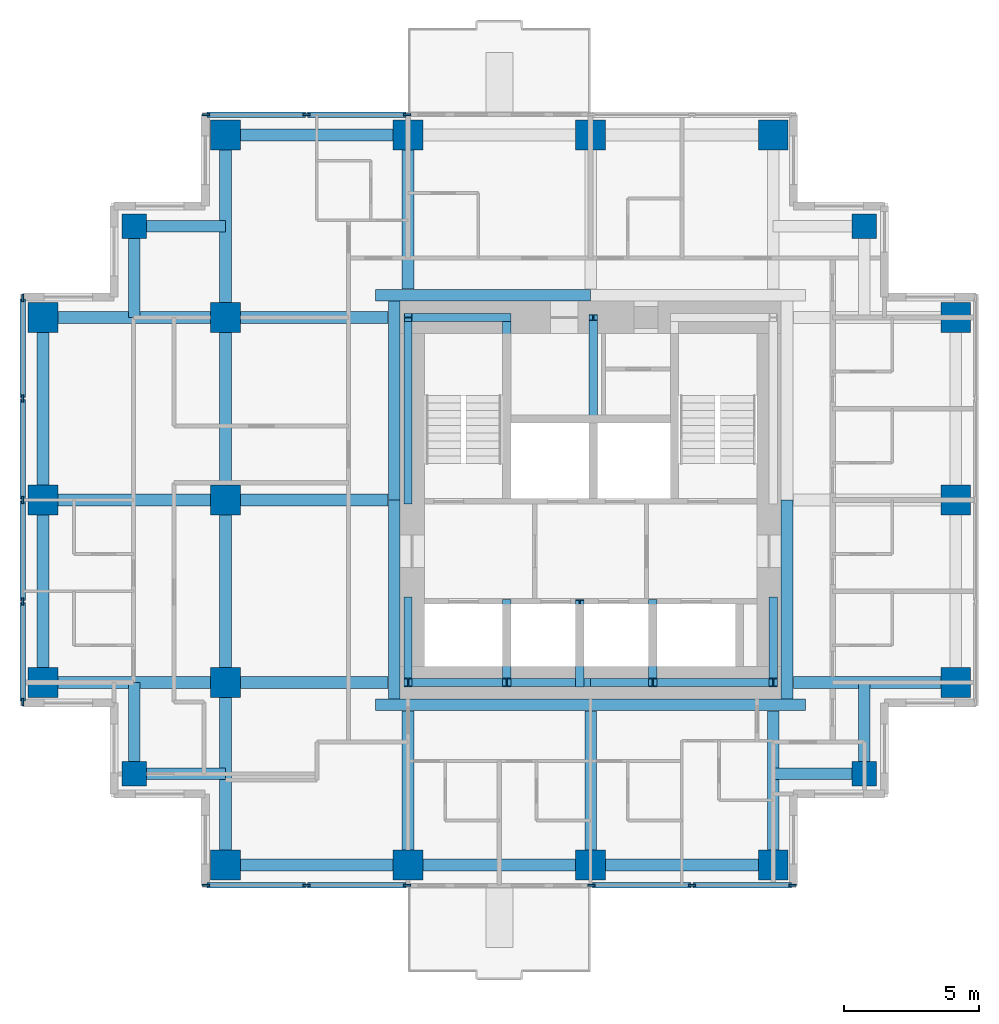
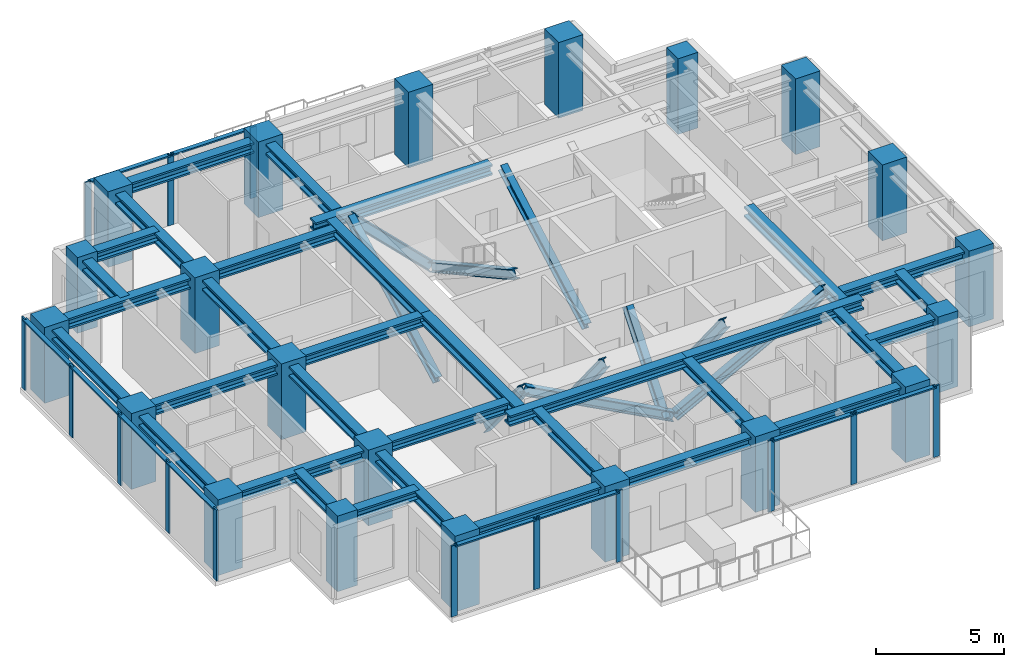
# One storey, part 1 of 8: 35 members, 33 beams, 21 columns, 4 elements without a shape of their own.
"""IFC4 building model written with IfcOpenShell, lengths in metres."""

import ifcopenshell
import ifcopenshell.guid

model = None  # the IFC model being written
_history = None  # IfcOwnerHistory: only IFC2X3 demands one
_inside = {}  # id of a spatial element -> (the spatial element, [elements in it])
_under = {}  # id of a project, library or spatial element -> (it, [spatial elements below it])
_declared = {}  # id of a project -> (the project, [libraries it declares])
_typed = {}  # id of a type object -> (the type object, [elements of that type])
_made_of = {}  # id of a material, layer set ... -> (it, [elements and type objects made of it])


def new_model(schema):
    """Start an empty IFC model of exactly this schema.

    Asked for "IFC4X3", IfcOpenShell would pick the latest addendum, in which some entities
    have other attributes; the version numbers below select the first issue.
    IFC2X3 requires an IfcOwnerHistory on every rooted entity: one is made here for all.
    """
    global model, _history
    if schema == "IFC4X3":
        model = ifcopenshell.file(schema_version=(4, 3, 0, 0))
    else:
        model = ifcopenshell.file(schema=schema)
    _inside.clear()
    _under.clear()
    _declared.clear()
    _typed.clear()
    _made_of.clear()
    _history = None
    if model.schema == "IFC2X3":
        org = make("IfcOrganization", Name="unknown")
        user = make(
            "IfcPersonAndOrganization",
            ThePerson=make("IfcPerson", FamilyName="unknown"),
            TheOrganization=org,
        )
        app = make(
            "IfcApplication",
            ApplicationDeveloper=org,
            Version="unknown",
            ApplicationFullName="unknown",
            ApplicationIdentifier="unknown",
        )
        _history = make(
            "IfcOwnerHistory",
            OwningUser=user,
            OwningApplication=app,
            ChangeAction="ADDED",
            CreationDate=0,
        )
    return model


def make(cls, **values):
    """One entity of the class cls with the attributes given. An attribute that is None is left unset."""
    return model.create_entity(
        cls, **{name: value for name, value in values.items() if value is not None}
    )


def rooted(cls, **values):
    """An entity with a GlobalId (a new one), such as an element, a storey or a relation."""
    return make(cls, GlobalId=ifcopenshell.guid.new(), OwnerHistory=_history, **values)


def si_unit(unit_type, name, prefix=None):
    """IfcSIUnit, for example si_unit("LENGTHUNIT", "METRE", prefix="MILLI")."""
    return make("IfcSIUnit", UnitType=unit_type, Prefix=prefix, Name=name)


def assignment(units):
    """IfcUnitAssignment: the units of a project."""
    return None if units is None else make("IfcUnitAssignment", Units=units)


def point(xyz):
    """IfcCartesianPoint."""
    return None if xyz is None else make("IfcCartesianPoint", Coordinates=xyz)


def direction(xyz):
    """IfcDirection."""
    return None if xyz is None else make("IfcDirection", DirectionRatios=xyz)


def frame(location, z_axis=None, x_axis=None):
    """IfcAxis2Placement3D, a coordinate frame: its origin and axes. An axis left out is left unset."""
    return make(
        "IfcAxis2Placement3D",
        Location=point(location),
        Axis=direction(z_axis),
        RefDirection=direction(x_axis),
    )


def frame_2d(location, x_axis=None):
    """IfcAxis2Placement2D, a coordinate frame in the plane: its origin and x axis."""
    return make(
        "IfcAxis2Placement2D", Location=point(location), RefDirection=direction(x_axis)
    )


def origin():
    """The frame at (0, 0, 0) with its axes left unset."""
    return frame((0.0, 0.0, 0.0))


def origin_2d():
    """The frame at (0, 0) in the plane with its x axis left unset."""
    return frame_2d((0.0, 0.0))


def place(relative_to, where):
    """IfcLocalPlacement: puts the frame where relative to a parent placement (None: the world)."""
    return make(
        "IfcLocalPlacement", PlacementRelTo=relative_to, RelativePlacement=where
    )


def context(
    kind, dimensions, precision=None, world=None, true_north=None, identifier=None
):
    """IfcGeometricRepresentationContext, for example the 3D "Model" context."""
    return make(
        "IfcGeometricRepresentationContext",
        ContextIdentifier=identifier,
        ContextType=kind,
        CoordinateSpaceDimension=dimensions,
        Precision=precision,
        WorldCoordinateSystem=world,
        TrueNorth=true_north,
    )


def subcontext(parent, identifier, kind, view, scale=None):
    """IfcGeometricRepresentationSubContext, for example "Body" below "Model"."""
    return make(
        "IfcGeometricRepresentationSubContext",
        ContextIdentifier=identifier,
        ContextType=kind,
        ParentContext=parent,
        TargetScale=scale,
        TargetView=view,
    )


def project(units=None, contexts=None):
    """IfcProject with its units and contexts."""
    return rooted(
        "IfcProject",
        Name="project",
        RepresentationContexts=contexts,
        UnitsInContext=assignment(units),
    )


def spatial(cls, under=None, at=None, **own):
    """A site, building, storey or space (cls), placed at a placement, below another one or the project."""
    s = rooted(cls, ObjectPlacement=at, **own)
    if under is not None:
        _under.setdefault(under.id(), (under, []))[1].append(s)
    return s


def profile(cls, at=None, kind="AREA", **sizes):
    """A parametric profile (cls). Its sizes go by their IFC names, for example OverallWidth=200.0."""
    return make(cls, ProfileType=kind, Position=at, **sizes)


def rectangle(**sizes):
    """IfcRectangleProfileDef."""
    return profile("IfcRectangleProfileDef", **sizes)


def i_section(**sizes):
    """IfcIShapeProfileDef."""
    return profile("IfcIShapeProfileDef", **sizes)


def extrude(swept, where, along, depth):
    """IfcExtrudedAreaSolid: the profile swept, set in the frame where, extruded along a direction by depth."""
    return make(
        "IfcExtrudedAreaSolid",
        SweptArea=swept,
        Position=where,
        ExtrudedDirection=direction(along),
        Depth=depth,
    )


def shape(context_of_items, identifier, shape_type, items):
    """IfcShapeRepresentation: the items that make up one representation, for example the "Body"."""
    return make(
        "IfcShapeRepresentation",
        ContextOfItems=context_of_items,
        RepresentationIdentifier=identifier,
        RepresentationType=shape_type,
        Items=items,
    )


def material(Name=None, Category=None):
    """IfcMaterial."""
    return make("IfcMaterial", Name=Name, Category=Category)


def material_profile(
    of_material, cross_section, Name=None, Category=None, Priority=None
):
    """IfcMaterialProfile: a cross section and its material."""
    return make(
        "IfcMaterialProfile",
        Name=Name,
        Material=of_material,
        Profile=cross_section,
        Priority=Priority,
        Category=Category,
    )


def profile_set(profiles, Name=None, composite=None):
    """IfcMaterialProfileSet."""
    return make(
        "IfcMaterialProfileSet",
        Name=Name,
        MaterialProfiles=profiles,
        CompositeProfile=composite,
    )


def made_of(thing, what):
    """Note that an element or type object is made of a material, layer set ...; save() writes the relation."""
    if what is not None:
        _made_of.setdefault(what.id(), (what, []))[1].append(thing)
    return thing


def type_object(cls, material=None, **own):
    """A type object (cls), such as IfcWallType, which elements share."""
    return made_of(rooted(cls, **own), material)


def element(
    cls,
    number,
    at=None,
    inside=None,
    cuts=None,
    type_object=None,
    material=None,
    context=None,
    identifier="Body",
    shape_type=None,
    held_by="IfcProductDefinitionShape",
    body=None,
    shapes=None,
    **own,
):
    """One element of the class cls, such as IfcWall. Its Tag is "e" and its number.

    at: its placement. inside: the storey or other place that contains it. cuts: it is an
    opening in that element (IfcRelVoidsElement). A single representation is given by context,
    identifier, shape_type and body (its items); several are given by shapes. held_by: the class
    of the entity that holds the representations. save() writes the other relations.
    """
    e = rooted(cls, Tag="e%d" % number, ObjectPlacement=at, **own)
    if body is not None:
        shapes = [shape(context, identifier, shape_type, body)]
    if shapes is not None:
        e.Representation = make(held_by, Representations=shapes)
    if inside is not None:
        _inside.setdefault(inside.id(), (inside, []))[1].append(e)
    if cuts is not None:
        rooted(
            "IfcRelVoidsElement", RelatingBuildingElement=cuts, RelatedOpeningElement=e
        )
    if type_object is not None:
        _typed.setdefault(type_object.id(), (type_object, []))[1].append(e)
    return made_of(e, material)


def aggregate(whole, parts):
    """IfcRelAggregates: a whole, such as a stair, and the parts it consists of."""
    return rooted("IfcRelAggregates", RelatingObject=whole, RelatedObjects=parts)


def save(model, path):
    """Write the relations noted so far, then the file.

    IfcRelAggregates (storeys below a building ...), IfcRelContainedInSpatialStructure (elements
    in a storey), IfcRelDefinesByType, IfcRelAssociatesMaterial and IfcRelDeclares: one each for
    every whole, place, type object, material and project.
    """
    for whole, parts in _under.values():
        aggregate(whole, parts)
    for where, things in _inside.values():
        rooted(
            "IfcRelContainedInSpatialStructure",
            RelatedElements=things,
            RelatingStructure=where,
        )
    for kind, things in _typed.values():
        rooted("IfcRelDefinesByType", RelatedObjects=things, RelatingType=kind)
    for what, things in _made_of.values():
        rooted("IfcRelAssociatesMaterial", RelatedObjects=things, RelatingMaterial=what)
    for by, libraries in _declared.values():
        rooted("IfcRelDeclares", RelatingContext=by, RelatedDefinitions=libraries)
    model.write(path)


model = new_model("IFC4")

# Units and contexts
model_context = context("Model", 3, precision=1e-05, world=origin(), true_north=direction((0.0, 1.0)))
body_context = subcontext(model_context, "Body", "Model", "MODEL_VIEW")
ifc_project = project(units=[si_unit("LENGTHUNIT", "METRE"), si_unit("AREAUNIT", "SQUARE_METRE"), si_unit("VOLUMEUNIT", "CUBIC_METRE"), si_unit("PLANEANGLEUNIT", "RADIAN"), si_unit("MASSUNIT", "GRAM", prefix="KILO")], contexts=[model_context])

# Site, building, storey
site_placement = place(None, origin())
site = spatial("IfcSite", under=ifc_project, at=site_placement, CompositionType="ELEMENT")
building_placement = place(site_placement, origin())
building = spatial("IfcBuilding", under=site, at=building_placement, Name="Nyansa Garden Tower", CompositionType="ELEMENT")
storey_placement = place(building_placement, frame((0.0, 0.0, 225.89990234375)))
storey = spatial("IfcBuildingStorey", under=building, at=storey_placement, Name="L61", CompositionType="ELEMENT", Elevation=225.89990234375)

# Columns
ifc_material_1 = material(Name="Concrete C70/85", Category="concrete")
ifc_material_profile_1 = material_profile(ifc_material_1, rectangle(XDim=1.10009765625, YDim=1.10009765625, at=origin_2d()), Name="RC 1100x1100")
ifc_profile_set_1 = profile_set([ifc_material_profile_1], Name="Concrete C70/85")
column_type_1 = type_object("IfcColumnType", Name="Column C110 RC 1100x1100", PredefinedType="COLUMN", material=ifc_profile_set_1)
for number, where, z_axis, x_axis, name in (
    (1, (0.0, 13.5, 0.0), (0.0, 0.0, 1.0), (1.0, 0.0, 0.0), "Column 2/F L61"),
    (2, (0.0, 20.25, 0.0), (0.0, 0.0, 1.0), (1.0, 0.0, 0.0), "Column 2/G L61"),
    (3, (0.0, 27.0, 0.0), (0.0, 0.0, 1.0), (1.0, 0.0, 0.0), "Column 2/H L61"),
    (4, (6.75, 6.75, 0.0), (0.0, 0.0, 1.0), (1.0, 0.0, 0.0), "Column 3/E L61"),
    (5, (6.75, 13.5, 0.0), (0.0, 0.0, 1.0), (1.0, 0.0, 0.0), "Column 3/F L61"),
    (6, (6.75, 20.25, 0.0), (0.0, 0.0, 1.0), (1.0, 0.0, 0.0), "Column 3/G L61"),
    (7, (6.75, 27.0, 0.0), (0.0, 0.0, 1.0), (1.0, 0.0, 0.0), "Column 3/H L61"),
    (8, (6.75, 33.75, 0.0), (0.0, 0.0, 1.0), (1.0, 0.0, 0.0), "Column 3/J L61"),
    (9, (13.5, 6.75, 0.0), (0.0, 0.0, 1.0), (1.0, 0.0, 0.0), "Column 4/E L61"),
    (10, (13.5, 33.75, 0.0), (0.0, 0.0, 1.0), (1.0, 0.0, 0.0), "Column 4/J L61"),
    (11, (20.25, 6.75, 0.0), (0.0, 0.0, 1.0), (1.0, 0.0, 0.0), "Column 5/E L61"),
    (12, (20.25, 33.75, 0.0), (0.0, 0.0, 1.0), (1.0, 0.0, 0.0), "Column 5/J L61"),
    (13, (27.0, 6.75, 0.0), (0.0, 0.0, 1.0), (1.0, 0.0, 0.0), "Column 6/E L61"),
    (14, (27.0, 33.75, 0.0), (0.0, 0.0, 1.0), (1.0, 0.0, 0.0), "Column 6/J L61"),
    (15, (33.75, 13.5, 0.0), (0.0, 0.0, 1.0), (1.0, 0.0, 0.0), "Column 7/F L61"),
    (16, (33.75, 20.25, 0.0), (0.0, 0.0, 1.0), (1.0, 0.0, 0.0), "Column 7/G L61"),
    (17, (33.75, 27.0, 0.0), (0.0, 0.0, 1.0), (1.0, 0.0, 0.0), "Column 7/H L61"),
):
    element("IfcColumn", number, at=place(storey_placement, frame(where, z_axis=z_axis, x_axis=x_axis)), inside=storey, type_object=column_type_1, Name=name, PredefinedType="COLUMN", context=body_context, shape_type="SweptSolid", body=[
        extrude(rectangle(XDim=1.10009765625, YDim=1.10009765625, at=origin_2d()), origin(), (0.0, 0.0, 1.0), 3.60009765625),
    ])
ifc_material_2 = material(Name="Concrete C70/85", Category="concrete")
ifc_material_profile_2 = material_profile(ifc_material_2, rectangle(XDim=0.89990234375, YDim=0.89990234375, at=origin_2d()), Name="RC 900x900")
ifc_profile_set_2 = profile_set([ifc_material_profile_2], Name="Concrete C70/85")
column_type_2 = type_object("IfcColumnType", Name="Column C90 RC 900x900", PredefinedType="COLUMN", material=ifc_profile_set_2)
for number, where, z_axis, x_axis, name in (
    (18, (3.375, 10.125, 0.0), (0.0, 0.0, 1.0), (1.0, 0.0, 0.0), "Column x3.375/y10.125 L61"),
    (19, (3.375, 30.375, 0.0), (0.0, 0.0, 1.0), (1.0, 0.0, 0.0), "Column x3.375/y30.375 L61"),
    (20, (30.375, 10.125, 0.0), (0.0, 0.0, 1.0), (1.0, 0.0, 0.0), "Column x30.375/y10.125 L61"),
    (21, (30.375, 30.375, 0.0), (0.0, 0.0, 1.0), (1.0, 0.0, 0.0), "Column x30.375/y30.375 L61"),
):
    element("IfcColumn", number, at=place(storey_placement, frame(where, z_axis=z_axis, x_axis=x_axis)), inside=storey, type_object=column_type_2, Name=name, PredefinedType="COLUMN", context=body_context, shape_type="SweptSolid", body=[
        extrude(rectangle(XDim=0.89990234375, YDim=0.89990234375, at=origin_2d()), origin(), (0.0, 0.0, 1.0), 3.60009765625),
    ])

# Curtain wall, members
ifc_material_3 = material(Name="Black anodised aluminium, dark tinted double glazing", Category="aluminium")
curtain_wall_type = type_object("IfcCurtainWallType", Name="Inner skin curtain wall ISW-D", PredefinedType="USERDEFINED", material=ifc_material_3)
curtain_wall_1_placement = place(storey_placement, origin())
curtain_wall_1 = element("IfcCurtainWall", 22, at=curtain_wall_1_placement, inside=storey, type_object=curtain_wall_type, Name="Inner skin curtain wall L61 N", ObjectType="UNITISED CURTAIN WALL", PredefinedType="USERDEFINED")
ifc_material_4 = material(Name="Black anodised aluminium", Category="aluminium")
ifc_material_profile_3 = material_profile(ifc_material_4, rectangle(XDim=0.070068359375, YDim=0.27490234375, at=origin_2d()), Name="Mullion 275x70")
ifc_profile_set_3 = profile_set([ifc_material_profile_3], Name="Black anodised aluminium")
member_type_1 = type_object("IfcMemberType", Name="Mullion ISW-D 275x70", PredefinedType="MULLION", material=ifc_profile_set_3)
member_1_placement = place(storey_placement, frame((13.465087890625, 34.5, 0.0), z_axis=(0.0, 0.0, 1.0), x_axis=(0.0, -1.0, 0.0)))
member_1 = element("IfcMember", 23, at=member_1_placement, type_object=member_type_1, Name="ISW-D mullion 1", PredefinedType="MULLION", context=body_context, shape_type="SweptSolid", body=[
    extrude(rectangle(XDim=0.070068359375, YDim=0.27490234375, at=origin_2d()), origin(), (0.0, 0.0, 1.0), 3.375),
])
member_2_placement = place(storey_placement, frame((9.75, 34.5, 0.0), z_axis=(0.0, 0.0, 1.0), x_axis=(0.0, -1.0, 0.0)))
member_2 = element("IfcMember", 24, at=member_2_placement, type_object=member_type_1, Name="ISW-D mullion 2", PredefinedType="MULLION", context=body_context, shape_type="SweptSolid", body=[
    extrude(rectangle(XDim=0.070068359375, YDim=0.27490234375, at=origin_2d()), origin(), (0.0, 0.0, 1.0), 3.375),
])
member_3_placement = place(storey_placement, frame((6.034912109375, 34.5, 0.0), z_axis=(0.0, 0.0, 1.0), x_axis=(0.0, -1.0, 0.0)))
member_3 = element("IfcMember", 25, at=member_3_placement, type_object=member_type_1, Name="ISW-D mullion 3", PredefinedType="MULLION", context=body_context, shape_type="SweptSolid", body=[
    extrude(rectangle(XDim=0.070068359375, YDim=0.27490234375, at=origin_2d()), origin(), (0.0, 0.0, 1.0), 3.375),
])

curtain_wall_2_placement = place(storey_placement, origin())
curtain_wall_2 = element("IfcCurtainWall", 26, at=curtain_wall_2_placement, inside=storey, type_object=curtain_wall_type, Name="Inner skin curtain wall L61 W", ObjectType="UNITISED CURTAIN WALL", PredefinedType="USERDEFINED")
member_4_placement = place(storey_placement, frame((-0.75, 27.715087890625, 0.0), z_axis=(0.0, 0.0, 1.0), x_axis=(1.0, 0.0, 0.0)))
member_4 = element("IfcMember", 27, at=member_4_placement, type_object=member_type_1, Name="ISW-D mullion 1", PredefinedType="MULLION", context=body_context, shape_type="SweptSolid", body=[
    extrude(rectangle(XDim=0.070068359375, YDim=0.27490234375, at=origin_2d()), origin(), (0.0, 0.0, 1.0), 3.375),
])
member_5_placement = place(storey_placement, frame((-0.75, 24.0, 0.0), z_axis=(0.0, 0.0, 1.0), x_axis=(1.0, 0.0, 0.0)))
member_5 = element("IfcMember", 28, at=member_5_placement, type_object=member_type_1, Name="ISW-D mullion 2", PredefinedType="MULLION", context=body_context, shape_type="SweptSolid", body=[
    extrude(rectangle(XDim=0.070068359375, YDim=0.27490234375, at=origin_2d()), origin(), (0.0, 0.0, 1.0), 3.375),
])
member_6_placement = place(storey_placement, frame((-0.75, 20.25, 0.0), z_axis=(0.0, 0.0, 1.0), x_axis=(1.0, 0.0, 0.0)))
member_6 = element("IfcMember", 29, at=member_6_placement, type_object=member_type_1, Name="ISW-D mullion 3", PredefinedType="MULLION", context=body_context, shape_type="SweptSolid", body=[
    extrude(rectangle(XDim=0.070068359375, YDim=0.27490234375, at=origin_2d()), origin(), (0.0, 0.0, 1.0), 3.375),
])
member_7_placement = place(storey_placement, frame((-0.75, 16.5, 0.0), z_axis=(0.0, 0.0, 1.0), x_axis=(1.0, 0.0, 0.0)))
member_7 = element("IfcMember", 30, at=member_7_placement, type_object=member_type_1, Name="ISW-D mullion 4", PredefinedType="MULLION", context=body_context, shape_type="SweptSolid", body=[
    extrude(rectangle(XDim=0.070068359375, YDim=0.27490234375, at=origin_2d()), origin(), (0.0, 0.0, 1.0), 3.375),
])
member_8_placement = place(storey_placement, frame((-0.75, 12.784912109375, 0.0), z_axis=(0.0, 0.0, 1.0), x_axis=(1.0, 0.0, 0.0)))
member_8 = element("IfcMember", 31, at=member_8_placement, type_object=member_type_1, Name="ISW-D mullion 5", PredefinedType="MULLION", context=body_context, shape_type="SweptSolid", body=[
    extrude(rectangle(XDim=0.070068359375, YDim=0.27490234375, at=origin_2d()), origin(), (0.0, 0.0, 1.0), 3.375),
])

curtain_wall_3_placement = place(storey_placement, origin())
curtain_wall_3 = element("IfcCurtainWall", 32, at=curtain_wall_3_placement, inside=storey, type_object=curtain_wall_type, Name="Inner skin curtain wall L61 S", ObjectType="UNITISED CURTAIN WALL", PredefinedType="USERDEFINED")
member_9_placement = place(storey_placement, frame((6.034912109375, 6.0, 0.0), z_axis=(0.0, 0.0, 1.0), x_axis=(0.0, 1.0, 0.0)))
member_9 = element("IfcMember", 33, at=member_9_placement, type_object=member_type_1, Name="ISW-D mullion 1", PredefinedType="MULLION", context=body_context, shape_type="SweptSolid", body=[
    extrude(rectangle(XDim=0.070068359375, YDim=0.27490234375, at=origin_2d()), origin(), (0.0, 0.0, 1.0), 3.375),
])
member_10_placement = place(storey_placement, frame((9.75, 6.0, 0.0), z_axis=(0.0, 0.0, 1.0), x_axis=(0.0, 1.0, 0.0)))
member_10 = element("IfcMember", 34, at=member_10_placement, type_object=member_type_1, Name="ISW-D mullion 2", PredefinedType="MULLION", context=body_context, shape_type="SweptSolid", body=[
    extrude(rectangle(XDim=0.070068359375, YDim=0.27490234375, at=origin_2d()), origin(), (0.0, 0.0, 1.0), 3.375),
])
member_11_placement = place(storey_placement, frame((13.465087890625, 6.0, 0.0), z_axis=(0.0, 0.0, 1.0), x_axis=(0.0, 1.0, 0.0)))
member_11 = element("IfcMember", 35, at=member_11_placement, type_object=member_type_1, Name="ISW-D mullion 3", PredefinedType="MULLION", context=body_context, shape_type="SweptSolid", body=[
    extrude(rectangle(XDim=0.070068359375, YDim=0.27490234375, at=origin_2d()), origin(), (0.0, 0.0, 1.0), 3.375),
])

curtain_wall_4_placement = place(storey_placement, origin())
curtain_wall_4 = element("IfcCurtainWall", 36, at=curtain_wall_4_placement, inside=storey, type_object=curtain_wall_type, Name="Inner skin curtain wall L61 S", ObjectType="UNITISED CURTAIN WALL", PredefinedType="USERDEFINED")
member_12_placement = place(storey_placement, frame((20.284912109375, 6.0, 0.0), z_axis=(0.0, 0.0, 1.0), x_axis=(0.0, 1.0, 0.0)))
member_12 = element("IfcMember", 37, at=member_12_placement, type_object=member_type_1, Name="ISW-D mullion 1", PredefinedType="MULLION", context=body_context, shape_type="SweptSolid", body=[
    extrude(rectangle(XDim=0.070068359375, YDim=0.27490234375, at=origin_2d()), origin(), (0.0, 0.0, 1.0), 3.375),
])
member_13_placement = place(storey_placement, frame((24.0, 6.0, 0.0), z_axis=(0.0, 0.0, 1.0), x_axis=(0.0, 1.0, 0.0)))
member_13 = element("IfcMember", 38, at=member_13_placement, type_object=member_type_1, Name="ISW-D mullion 2", PredefinedType="MULLION", context=body_context, shape_type="SweptSolid", body=[
    extrude(rectangle(XDim=0.070068359375, YDim=0.27490234375, at=origin_2d()), origin(), (0.0, 0.0, 1.0), 3.375),
])
member_14_placement = place(storey_placement, frame((27.715087890625, 6.0, 0.0), z_axis=(0.0, 0.0, 1.0), x_axis=(0.0, 1.0, 0.0)))
member_14 = element("IfcMember", 39, at=member_14_placement, type_object=member_type_1, Name="ISW-D mullion 3", PredefinedType="MULLION", context=body_context, shape_type="SweptSolid", body=[
    extrude(rectangle(XDim=0.070068359375, YDim=0.27490234375, at=origin_2d()), origin(), (0.0, 0.0, 1.0), 3.375),
])

# Members
ifc_material_5 = material(Name="Steel S355", Category="steel")
ifc_material_profile_4 = material_profile(ifc_material_5, i_section(OverallWidth=0.306884765625, OverallDepth=0.431884765625, WebThickness=0.02099609375, FlangeThickness=0.0400390625, FilletRadius=0.027099609375, at=origin_2d()), Name="HE 400 M")
ifc_profile_set_4 = profile_set([ifc_material_profile_4], Name="Steel S355")
member_type_2 = type_object("IfcMemberType", Name="Perimeter brace HE 400 M", PredefinedType="BRACE", material=ifc_profile_set_4)
for number, where, z_axis, x_axis, name in (
    (40, (20.25, 13.5, 0.0), (-0.882347640589, 0.0, 0.47059817376), (0.0, -1.0, 0.0), "Core brace CS1 L61"),
    (41, (20.25, 13.5, 0.0), (0.882347640589, 0.0, 0.47059817376), (0.0, 1.0, 0.0), "Core brace CS2 L61"),
):
    element("IfcMember", number, at=place(storey_placement, frame(where, z_axis=z_axis, x_axis=x_axis)), inside=storey, type_object=member_type_2, Name=name, PredefinedType="BRACE", context=body_context, shape_type="SweptSolid", body=[
        extrude(i_section(OverallWidth=0.306884765625, OverallDepth=0.431884765625, WebThickness=0.02099609375, FlangeThickness=0.0400390625, FilletRadius=0.027099609375, at=origin_2d()), origin(), (0.0, 0.0, 1.0), 7.650146484375),
    ])
member_15_placement = place(storey_placement, frame((17.14990234375, 27.0, 0.0), z_axis=(-0.711947531702, 0.0, 0.702232662373), x_axis=(0.0, -1.0, 0.0)))
element("IfcMember", 42, at=member_15_placement, inside=storey, type_object=member_type_2, Name="Core brace CN3 L61", PredefinedType="BRACE", context=body_context, shape_type="SweptSolid", body=[
    extrude(i_section(OverallWidth=0.306884765625, OverallDepth=0.431884765625, WebThickness=0.02099609375, FlangeThickness=0.0400390625, FilletRadius=0.027099609375, at=origin_2d()), origin(), (0.0, 0.0, 1.0), 5.126708984375),
])
member_16_placement = place(storey_placement, frame((13.5, 16.5, 0.0), z_axis=(0.0, -0.640174150918, 0.768229820104), x_axis=(1.0, 0.0, 0.0)))
element("IfcMember", 43, at=member_16_placement, inside=storey, type_object=member_type_2, Name="Core brace CW5 L61", PredefinedType="BRACE", context=body_context, shape_type="SweptSolid", body=[
    extrude(i_section(OverallWidth=0.306884765625, OverallDepth=0.431884765625, WebThickness=0.02099609375, FlangeThickness=0.0400390625, FilletRadius=0.027099609375, at=origin_2d()), origin(), (0.0, 0.0, 1.0), 4.686279296875),
])
member_17_placement = place(storey_placement, frame((13.5, 20.199951171875, 0.0), z_axis=(0.0, 0.883784057226, 0.467895009796), x_axis=(-1.0, 0.0, 0.0)))
element("IfcMember", 44, at=member_17_placement, inside=storey, type_object=member_type_2, Name="Core brace CW6 L61", PredefinedType="BRACE", context=body_context, shape_type="SweptSolid", body=[
    extrude(i_section(OverallWidth=0.306884765625, OverallDepth=0.431884765625, WebThickness=0.02099609375, FlangeThickness=0.0400390625, FilletRadius=0.027099609375, at=origin_2d()), origin(), (0.0, 0.0, 1.0), 7.6943359375),
])
member_18_placement = place(storey_placement, frame((27.0, 16.5, 0.0), z_axis=(0.0, -0.640174150918, 0.768229820104), x_axis=(1.0, 0.0, 0.0)))
element("IfcMember", 45, at=member_18_placement, inside=storey, type_object=member_type_2, Name="Core brace CE7 L61", PredefinedType="BRACE", context=body_context, shape_type="SweptSolid", body=[
    extrude(i_section(OverallWidth=0.306884765625, OverallDepth=0.431884765625, WebThickness=0.02099609375, FlangeThickness=0.0400390625, FilletRadius=0.027099609375, at=origin_2d()), origin(), (0.0, 0.0, 1.0), 4.686279296875),
])
member_19_placement = place(storey_placement, frame((17.14990234375, 27.0, 0.0), z_axis=(0.0, -0.876353113771, 0.481669201822), x_axis=(1.0, 0.0, 0.0)))
element("IfcMember", 46, at=member_19_placement, inside=storey, type_object=member_type_2, Name="Core brace CWS9 L61", PredefinedType="BRACE", context=body_context, shape_type="SweptSolid", body=[
    extrude(i_section(OverallWidth=0.306884765625, OverallDepth=0.431884765625, WebThickness=0.02099609375, FlangeThickness=0.0400390625, FilletRadius=0.027099609375, at=origin_2d()), origin(), (0.0, 0.0, 1.0), 7.47412109375),
])
for number, where, z_axis, x_axis, name in (
    (47, (17.14990234375, 16.39990234375, 0.0), (0.0, -0.627306405886, 0.778772542617), (1.0, 0.0, 0.0), "Core brace CSW11 L61"),
    (48, (19.85009765625, 13.5, 0.0), (0.0, 0.627306405886, 0.778772542617), (-1.0, 0.0, 0.0), "Core brace CSW12 L61"),
    (49, (22.550048828125, 16.39990234375, 0.0), (0.0, -0.627306405886, 0.778772542617), (1.0, 0.0, 0.0), "Core brace CSW13 L61"),
):
    element("IfcMember", number, at=place(storey_placement, frame(where, z_axis=z_axis, x_axis=x_axis)), inside=storey, type_object=member_type_2, Name=name, PredefinedType="BRACE", context=body_context, shape_type="SweptSolid", body=[
        extrude(i_section(OverallWidth=0.306884765625, OverallDepth=0.431884765625, WebThickness=0.02099609375, FlangeThickness=0.0400390625, FilletRadius=0.027099609375, at=origin_2d()), origin(), (0.0, 0.0, 1.0), 4.622802734375),
    ])
member_20_placement = place(storey_placement, frame((20.35009765625, 20.449951171875, 0.0), z_axis=(0.0, 0.876353113771, 0.481669201822), x_axis=(-1.0, 0.0, 0.0)))
element("IfcMember", 50, at=member_20_placement, inside=storey, type_object=member_type_2, Name="Core brace CNW14 L61", PredefinedType="BRACE", context=body_context, shape_type="SweptSolid", body=[
    extrude(i_section(OverallWidth=0.306884765625, OverallDepth=0.431884765625, WebThickness=0.02099609375, FlangeThickness=0.0400390625, FilletRadius=0.027099609375, at=origin_2d()), origin(), (0.0, 0.0, 1.0), 7.47412109375),
])

# Beams
ifc_material_6 = material(Name="Steel S355", Category="steel")
ifc_material_profile_5 = material_profile(ifc_material_6, i_section(OverallWidth=0.431884765625, OverallDepth=0.498046875, WebThickness=0.0556640625, FlangeThickness=0.0888671875, FilletRadius=0.014892578125, at=origin_2d()), Name="HD 400x744")
ifc_profile_set_5 = profile_set([ifc_material_profile_5], Name="Steel S355")
beam_type_1 = type_object("IfcBeamType", Name="Steel beam SBD1-744 HD 400x744", PredefinedType="BEAM", material=ifc_profile_set_5)
for number, where, z_axis, x_axis, name in (
    (51, (0.0, 13.5, 3.1259765625), (1.0, 0.0, 0.0), (0.0, 1.0, 0.0), "Steel beam 2/F-3/F L62"),
    (52, (0.0, 20.25, 3.1259765625), (1.0, 0.0, 0.0), (0.0, 1.0, 0.0), "Steel beam 2/G-3/G L62"),
    (53, (0.0, 27.0, 3.1259765625), (1.0, 0.0, 0.0), (0.0, 1.0, 0.0), "Steel beam 2/H-3/H L62"),
    (54, (6.75, 6.75, 3.1259765625), (0.0, 1.0, 0.0), (-1.0, 0.0, 0.0), "Steel beam 3/E-3/F L62"),
    (55, (6.75, 13.5, 3.1259765625), (0.0, 1.0, 0.0), (-1.0, 0.0, 0.0), "Steel beam 3/F-3/G L62"),
):
    element("IfcBeam", number, at=place(storey_placement, frame(where, z_axis=z_axis, x_axis=x_axis)), inside=storey, type_object=beam_type_1, Name=name, PredefinedType="BEAM", context=body_context, shape_type="SweptSolid", body=[
        extrude(i_section(OverallWidth=0.431884765625, OverallDepth=0.498046875, WebThickness=0.0556640625, FlangeThickness=0.0888671875, FilletRadius=0.014892578125, at=origin_2d()), origin(), (0.0, 0.0, 1.0), 6.75),
    ])
beam_1_placement = place(storey_placement, frame((6.75, 13.5, 3.1259765625), z_axis=(1.0, 0.0, 0.0), x_axis=(0.0, 1.0, 0.0)))
element("IfcBeam", 56, at=beam_1_placement, inside=storey, type_object=beam_type_1, Name="Steel beam 3/F-12.750/F L62", PredefinedType="BEAM", context=body_context, shape_type="SweptSolid", body=[
    extrude(i_section(OverallWidth=0.431884765625, OverallDepth=0.498046875, WebThickness=0.0556640625, FlangeThickness=0.0888671875, FilletRadius=0.014892578125, at=origin_2d()), origin(), (0.0, 0.0, 1.0), 6.0),
])
beam_2_placement = place(storey_placement, frame((6.75, 20.25, 3.1259765625), z_axis=(0.0, 1.0, 0.0), x_axis=(-1.0, 0.0, 0.0)))
element("IfcBeam", 57, at=beam_2_placement, inside=storey, type_object=beam_type_1, Name="Steel beam 3/G-3/H L62", PredefinedType="BEAM", context=body_context, shape_type="SweptSolid", body=[
    extrude(i_section(OverallWidth=0.431884765625, OverallDepth=0.498046875, WebThickness=0.0556640625, FlangeThickness=0.0888671875, FilletRadius=0.014892578125, at=origin_2d()), origin(), (0.0, 0.0, 1.0), 6.75),
])
beam_3_placement = place(storey_placement, frame((6.75, 20.25, 3.1259765625), z_axis=(1.0, 0.0, 0.0), x_axis=(0.0, 1.0, 0.0)))
element("IfcBeam", 58, at=beam_3_placement, inside=storey, type_object=beam_type_1, Name="Steel beam 3/G-12.750/G L62", PredefinedType="BEAM", context=body_context, shape_type="SweptSolid", body=[
    extrude(i_section(OverallWidth=0.431884765625, OverallDepth=0.498046875, WebThickness=0.0556640625, FlangeThickness=0.0888671875, FilletRadius=0.014892578125, at=origin_2d()), origin(), (0.0, 0.0, 1.0), 6.0),
])
beam_4_placement = place(storey_placement, frame((6.75, 27.0, 3.1259765625), z_axis=(0.0, 1.0, 0.0), x_axis=(-1.0, 0.0, 0.0)))
element("IfcBeam", 59, at=beam_4_placement, inside=storey, type_object=beam_type_1, Name="Steel beam 3/H-3/J L62", PredefinedType="BEAM", context=body_context, shape_type="SweptSolid", body=[
    extrude(i_section(OverallWidth=0.431884765625, OverallDepth=0.498046875, WebThickness=0.0556640625, FlangeThickness=0.0888671875, FilletRadius=0.014892578125, at=origin_2d()), origin(), (0.0, 0.0, 1.0), 6.75),
])
beam_5_placement = place(storey_placement, frame((6.75, 27.0, 3.1259765625), z_axis=(1.0, 0.0, 0.0), x_axis=(0.0, 1.0, 0.0)))
element("IfcBeam", 60, at=beam_5_placement, inside=storey, type_object=beam_type_1, Name="Steel beam 3/H-12.750/H L62", PredefinedType="BEAM", context=body_context, shape_type="SweptSolid", body=[
    extrude(i_section(OverallWidth=0.431884765625, OverallDepth=0.498046875, WebThickness=0.0556640625, FlangeThickness=0.0888671875, FilletRadius=0.014892578125, at=origin_2d()), origin(), (0.0, 0.0, 1.0), 6.0),
])
for number, where, z_axis, x_axis, name in (
    (61, (13.5, 6.75, 3.1259765625), (0.0, 1.0, 0.0), (-1.0, 0.0, 0.0), "Steel beam 4/E-4/12.450 L62"),
    (62, (13.5, 28.050048828125, 3.1259765625), (0.0, 1.0, 0.0), (-1.0, 0.0, 0.0), "Steel beam 4/28.050-4/J L62"),
    (63, (20.25, 6.75, 3.1259765625), (0.0, 1.0, 0.0), (-1.0, 0.0, 0.0), "Steel beam 5/E-5/12.450 L62"),
    (64, (27.0, 6.75, 3.1259765625), (0.0, 1.0, 0.0), (-1.0, 0.0, 0.0), "Steel beam 6/E-6/12.450 L62"),
):
    element("IfcBeam", number, at=place(storey_placement, frame(where, z_axis=z_axis, x_axis=x_axis)), inside=storey, type_object=beam_type_1, Name=name, PredefinedType="BEAM", context=body_context, shape_type="SweptSolid", body=[
        extrude(i_section(OverallWidth=0.431884765625, OverallDepth=0.498046875, WebThickness=0.0556640625, FlangeThickness=0.0888671875, FilletRadius=0.014892578125, at=origin_2d()), origin(), (0.0, 0.0, 1.0), 5.699951171875),
    ])
beam_6_placement = place(storey_placement, frame((27.75, 13.5, 3.1259765625), z_axis=(1.0, 0.0, 0.0), x_axis=(0.0, 1.0, 0.0)))
element("IfcBeam", 65, at=beam_6_placement, inside=storey, type_object=beam_type_1, Name="Steel beam 27.750/F-7/F L62", PredefinedType="BEAM", context=body_context, shape_type="SweptSolid", body=[
    extrude(i_section(OverallWidth=0.431884765625, OverallDepth=0.498046875, WebThickness=0.0556640625, FlangeThickness=0.0888671875, FilletRadius=0.014892578125, at=origin_2d()), origin(), (0.0, 0.0, 1.0), 6.0),
])
ifc_material_7 = material(Name="Steel S355", Category="steel")
ifc_material_profile_6 = material_profile(ifc_material_7, i_section(OverallWidth=0.431884765625, OverallDepth=0.498046875, WebThickness=0.0556640625, FlangeThickness=0.0888671875, FilletRadius=0.014892578125, at=origin_2d()), Name="HD 400x744")
ifc_profile_set_6 = profile_set([ifc_material_profile_6], Name="Steel S355")
beam_type_2 = type_object("IfcBeamType", Name="Steel beam SEBD-744 HD 400x744", PredefinedType="BEAM", material=ifc_profile_set_6)
for number, where, z_axis, x_axis, name in (
    (66, (0.0, 13.5, 3.1259765625), (0.0, 1.0, 0.0), (-1.0, 0.0, 0.0), "Steel edge beam 2/F-2/G L62"),
    (67, (0.0, 20.25, 3.1259765625), (0.0, 1.0, 0.0), (-1.0, 0.0, 0.0), "Steel edge beam 2/G-2/H L62"),
    (68, (6.75, 6.75, 3.1259765625), (1.0, 0.0, 0.0), (0.0, 1.0, 0.0), "Steel edge beam 3/E-4/E L62"),
    (69, (6.75, 33.75, 3.1259765625), (1.0, 0.0, 0.0), (0.0, 1.0, 0.0), "Steel edge beam 3/J-4/J L62"),
    (70, (13.5, 6.75, 3.1259765625), (1.0, 0.0, 0.0), (0.0, 1.0, 0.0), "Steel edge beam 4/E-5/E L62"),
    (71, (20.25, 6.75, 3.1259765625), (1.0, 0.0, 0.0), (0.0, 1.0, 0.0), "Steel edge beam 5/E-6/E L62"),
):
    element("IfcBeam", number, at=place(storey_placement, frame(where, z_axis=z_axis, x_axis=x_axis)), inside=storey, type_object=beam_type_2, Name=name, PredefinedType="BEAM", context=body_context, shape_type="SweptSolid", body=[
        extrude(i_section(OverallWidth=0.431884765625, OverallDepth=0.498046875, WebThickness=0.0556640625, FlangeThickness=0.0888671875, FilletRadius=0.014892578125, at=origin_2d()), origin(), (0.0, 0.0, 1.0), 6.75),
    ])
ifc_material_8 = material(Name="Steel S355", Category="steel")
ifc_material_profile_7 = material_profile(ifc_material_8, i_section(OverallWidth=0.431884765625, OverallDepth=0.498046875, WebThickness=0.0556640625, FlangeThickness=0.0888671875, FilletRadius=0.014892578125, at=origin_2d()), Name="HD 400x744")
ifc_profile_set_7 = profile_set([ifc_material_profile_7], Name="Steel S355")
beam_type_3 = type_object("IfcBeamType", Name="Steel beam SLB1-744 HD 400x744", PredefinedType="BEAM", material=ifc_profile_set_7)
for number, where, z_axis, x_axis, name in (
    (72, (12.300048828125, 12.68408203125, 3.1259765625), (1.0, 0.0, 0.0), (0.0, 1.0, 0.0), "Steel core ledger beam S.1 L62"),
    (73, (20.25, 12.68408203125, 3.1259765625), (1.0, 0.0, 0.0), (0.0, 1.0, 0.0), "Steel core ledger beam S.2 L62"),
):
    element("IfcBeam", number, at=place(storey_placement, frame(where, z_axis=z_axis, x_axis=x_axis)), inside=storey, type_object=beam_type_3, Name=name, PredefinedType="BEAM", context=body_context, shape_type="SweptSolid", body=[
        extrude(i_section(OverallWidth=0.431884765625, OverallDepth=0.498046875, WebThickness=0.0556640625, FlangeThickness=0.0888671875, FilletRadius=0.014892578125, at=origin_2d()), origin(), (0.0, 0.0, 1.0), 7.949951171875),
    ])
beam_7_placement = place(storey_placement, frame((27.51611328125, 12.89990234375, 3.1259765625), z_axis=(0.0, 1.0, 0.0), x_axis=(-1.0, 0.0, 0.0)))
element("IfcBeam", 74, at=beam_7_placement, inside=storey, type_object=beam_type_3, Name="Steel core ledger beam E.1 L62", PredefinedType="BEAM", context=body_context, shape_type="SweptSolid", body=[
    extrude(i_section(OverallWidth=0.431884765625, OverallDepth=0.498046875, WebThickness=0.0556640625, FlangeThickness=0.0888671875, FilletRadius=0.014892578125, at=origin_2d()), origin(), (0.0, 0.0, 1.0), 7.35009765625),
])
beam_8_placement = place(storey_placement, frame((20.25, 27.81591796875, 3.1259765625), z_axis=(-1.0, 0.0, 0.0), x_axis=(0.0, -1.0, 0.0)))
element("IfcBeam", 75, at=beam_8_placement, inside=storey, type_object=beam_type_3, Name="Steel core ledger beam N.2 L62", PredefinedType="BEAM", context=body_context, shape_type="SweptSolid", body=[
    extrude(i_section(OverallWidth=0.431884765625, OverallDepth=0.498046875, WebThickness=0.0556640625, FlangeThickness=0.0888671875, FilletRadius=0.014892578125, at=origin_2d()), origin(), (0.0, 0.0, 1.0), 7.949951171875),
])
for number, where, z_axis, x_axis, name in (
    (76, (12.98388671875, 27.60009765625, 3.1259765625), (0.0, -1.0, 0.0), (1.0, 0.0, 0.0), "Steel core ledger beam W.1 L62"),
    (77, (12.98388671875, 20.25, 3.1259765625), (0.0, -1.0, 0.0), (1.0, 0.0, 0.0), "Steel core ledger beam W.2 L62"),
):
    element("IfcBeam", number, at=place(storey_placement, frame(where, z_axis=z_axis, x_axis=x_axis)), inside=storey, type_object=beam_type_3, Name=name, PredefinedType="BEAM", context=body_context, shape_type="SweptSolid", body=[
        extrude(i_section(OverallWidth=0.431884765625, OverallDepth=0.498046875, WebThickness=0.0556640625, FlangeThickness=0.0888671875, FilletRadius=0.014892578125, at=origin_2d()), origin(), (0.0, 0.0, 1.0), 7.35009765625),
    ])
ifc_material_9 = material(Name="Steel S355", Category="steel")
ifc_material_profile_8 = material_profile(ifc_material_9, i_section(OverallWidth=0.431884765625, OverallDepth=0.498046875, WebThickness=0.0556640625, FlangeThickness=0.0888671875, FilletRadius=0.014892578125, at=origin_2d()), Name="HD 400x744")
ifc_profile_set_8 = profile_set([ifc_material_profile_8], Name="Steel S355")
beam_type_4 = type_object("IfcBeamType", Name="Steel beam SSB1-744 HD 400x744", PredefinedType="BEAM", material=ifc_profile_set_8)
for number, where, z_axis, x_axis, name in (
    (78, (3.375, 10.125, 3.1259765625), (0.0, 1.0, 0.0), (-1.0, 0.0, 0.0), "Steel step beam 3.375/10.125 L62"),
    (79, (3.375, 10.125, 3.1259765625), (1.0, 0.0, 0.0), (0.0, 1.0, 0.0), "Steel step beam 3.375/10.125 L62"),
    (80, (30.375, 10.125, 3.1259765625), (0.0, 1.0, 0.0), (-1.0, 0.0, 0.0), "Steel step beam 30.375/10.125 L62"),
    (81, (30.375, 10.125, 3.1259765625), (-1.0, 0.0, 0.0), (0.0, -1.0, 0.0), "Steel step beam 30.375/10.125 L62"),
    (82, (3.375, 30.375, 3.1259765625), (0.0, -1.0, 0.0), (1.0, 0.0, 0.0), "Steel step beam 3.375/30.375 L62"),
    (83, (3.375, 30.375, 3.1259765625), (1.0, 0.0, 0.0), (0.0, 1.0, 0.0), "Steel step beam 3.375/30.375 L62"),
):
    element("IfcBeam", number, at=place(storey_placement, frame(where, z_axis=z_axis, x_axis=x_axis)), inside=storey, type_object=beam_type_4, Name=name, PredefinedType="BEAM", context=body_context, shape_type="SweptSolid", body=[
        extrude(i_section(OverallWidth=0.431884765625, OverallDepth=0.498046875, WebThickness=0.0556640625, FlangeThickness=0.0888671875, FilletRadius=0.014892578125, at=origin_2d()), origin(), (0.0, 0.0, 1.0), 3.375),
    ])

# Member
ifc_material_10 = material(Name="Black anodised aluminium", Category="aluminium")
ifc_material_profile_9 = material_profile(ifc_material_10, rectangle(XDim=0.195068359375, YDim=0.070068359375, at=origin_2d()), Name="Transom 195x70")
ifc_profile_set_9 = profile_set([ifc_material_profile_9], Name="Black anodised aluminium")
member_type_3 = type_object("IfcMemberType", Name="Transom ISW-D 195x70", PredefinedType="USERDEFINED", material=ifc_profile_set_9)
member_21_placement = place(storey_placement, frame((13.429931640625, 34.5, 3.340087890625), z_axis=(-1.0, 0.0, 0.0), x_axis=(0.0, -1.0, 0.0)))
member_21 = element("IfcMember", 84, at=member_21_placement, type_object=member_type_3, Name="ISW-D transom 1", ObjectType="TRANSOM", PredefinedType="USERDEFINED", context=body_context, shape_type="SweptSolid", body=[
    extrude(rectangle(XDim=0.195068359375, YDim=0.070068359375, at=origin_2d()), origin(), (0.0, 0.0, 1.0), 3.64501953125),
])

member_22_placement = place(storey_placement, frame((9.715087890625, 34.5, 3.340087890625), z_axis=(-1.0, 0.0, 0.0), x_axis=(0.0, -1.0, 0.0)))
member_22 = element("IfcMember", 85, at=member_22_placement, type_object=member_type_3, Name="ISW-D transom 2", ObjectType="TRANSOM", PredefinedType="USERDEFINED", context=body_context, shape_type="SweptSolid", body=[
    extrude(rectangle(XDim=0.195068359375, YDim=0.070068359375, at=origin_2d()), origin(), (0.0, 0.0, 1.0), 3.64501953125),
])

aggregate(curtain_wall_1, [member_1, member_2, member_3, member_21, member_22])

member_23_placement = place(storey_placement, frame((-0.75, 27.679931640625, 3.340087890625), z_axis=(0.0, -1.0, 0.0), x_axis=(1.0, 0.0, 0.0)))
member_23 = element("IfcMember", 86, at=member_23_placement, type_object=member_type_3, Name="ISW-D transom 1", ObjectType="TRANSOM", PredefinedType="USERDEFINED", context=body_context, shape_type="SweptSolid", body=[
    extrude(rectangle(XDim=0.195068359375, YDim=0.070068359375, at=origin_2d()), origin(), (0.0, 0.0, 1.0), 3.64501953125),
])

member_24_placement = place(storey_placement, frame((-0.75, 23.965087890625, 3.340087890625), z_axis=(0.0, -1.0, 0.0), x_axis=(1.0, 0.0, 0.0)))
member_24 = element("IfcMember", 87, at=member_24_placement, type_object=member_type_3, Name="ISW-D transom 2", ObjectType="TRANSOM", PredefinedType="USERDEFINED", context=body_context, shape_type="SweptSolid", body=[
    extrude(rectangle(XDim=0.195068359375, YDim=0.070068359375, at=origin_2d()), origin(), (0.0, 0.0, 1.0), 3.68017578125),
])

member_25_placement = place(storey_placement, frame((-0.75, 20.215087890625, 3.340087890625), z_axis=(0.0, -1.0, 0.0), x_axis=(1.0, 0.0, 0.0)))
member_25 = element("IfcMember", 88, at=member_25_placement, type_object=member_type_3, Name="ISW-D transom 3", ObjectType="TRANSOM", PredefinedType="USERDEFINED", context=body_context, shape_type="SweptSolid", body=[
    extrude(rectangle(XDim=0.195068359375, YDim=0.070068359375, at=origin_2d()), origin(), (0.0, 0.0, 1.0), 3.68017578125),
])

member_26_placement = place(storey_placement, frame((-0.75, 16.465087890625, 3.340087890625), z_axis=(0.0, -1.0, 0.0), x_axis=(1.0, 0.0, 0.0)))
member_26 = element("IfcMember", 89, at=member_26_placement, type_object=member_type_3, Name="ISW-D transom 4", ObjectType="TRANSOM", PredefinedType="USERDEFINED", context=body_context, shape_type="SweptSolid", body=[
    extrude(rectangle(XDim=0.195068359375, YDim=0.070068359375, at=origin_2d()), origin(), (0.0, 0.0, 1.0), 3.64501953125),
])

aggregate(curtain_wall_2, [member_4, member_5, member_6, member_7, member_8, member_23, member_24, member_25, member_26])

member_27_placement = place(storey_placement, frame((6.070068359375, 6.0, 3.340087890625), z_axis=(1.0, 0.0, 0.0), x_axis=(0.0, 1.0, 0.0)))
member_27 = element("IfcMember", 90, at=member_27_placement, type_object=member_type_3, Name="ISW-D transom 1", ObjectType="TRANSOM", PredefinedType="USERDEFINED", context=body_context, shape_type="SweptSolid", body=[
    extrude(rectangle(XDim=0.195068359375, YDim=0.070068359375, at=origin_2d()), origin(), (0.0, 0.0, 1.0), 3.64501953125),
])

member_28_placement = place(storey_placement, frame((9.784912109375, 6.0, 3.340087890625), z_axis=(1.0, 0.0, 0.0), x_axis=(0.0, 1.0, 0.0)))
member_28 = element("IfcMember", 91, at=member_28_placement, type_object=member_type_3, Name="ISW-D transom 2", ObjectType="TRANSOM", PredefinedType="USERDEFINED", context=body_context, shape_type="SweptSolid", body=[
    extrude(rectangle(XDim=0.195068359375, YDim=0.070068359375, at=origin_2d()), origin(), (0.0, 0.0, 1.0), 3.64501953125),
])

aggregate(curtain_wall_3, [member_9, member_10, member_11, member_27, member_28])

member_29_placement = place(storey_placement, frame((20.320068359375, 6.0, 3.340087890625), z_axis=(1.0, 0.0, 0.0), x_axis=(0.0, 1.0, 0.0)))
member_29 = element("IfcMember", 92, at=member_29_placement, type_object=member_type_3, Name="ISW-D transom 1", ObjectType="TRANSOM", PredefinedType="USERDEFINED", context=body_context, shape_type="SweptSolid", body=[
    extrude(rectangle(XDim=0.195068359375, YDim=0.070068359375, at=origin_2d()), origin(), (0.0, 0.0, 1.0), 3.64501953125),
])

member_30_placement = place(storey_placement, frame((24.034912109375, 6.0, 3.340087890625), z_axis=(1.0, 0.0, 0.0), x_axis=(0.0, 1.0, 0.0)))
member_30 = element("IfcMember", 93, at=member_30_placement, type_object=member_type_3, Name="ISW-D transom 2", ObjectType="TRANSOM", PredefinedType="USERDEFINED", context=body_context, shape_type="SweptSolid", body=[
    extrude(rectangle(XDim=0.195068359375, YDim=0.070068359375, at=origin_2d()), origin(), (0.0, 0.0, 1.0), 3.64501953125),
])

aggregate(curtain_wall_4, [member_12, member_13, member_14, member_29, member_30])

save(model, "model.ifc")
